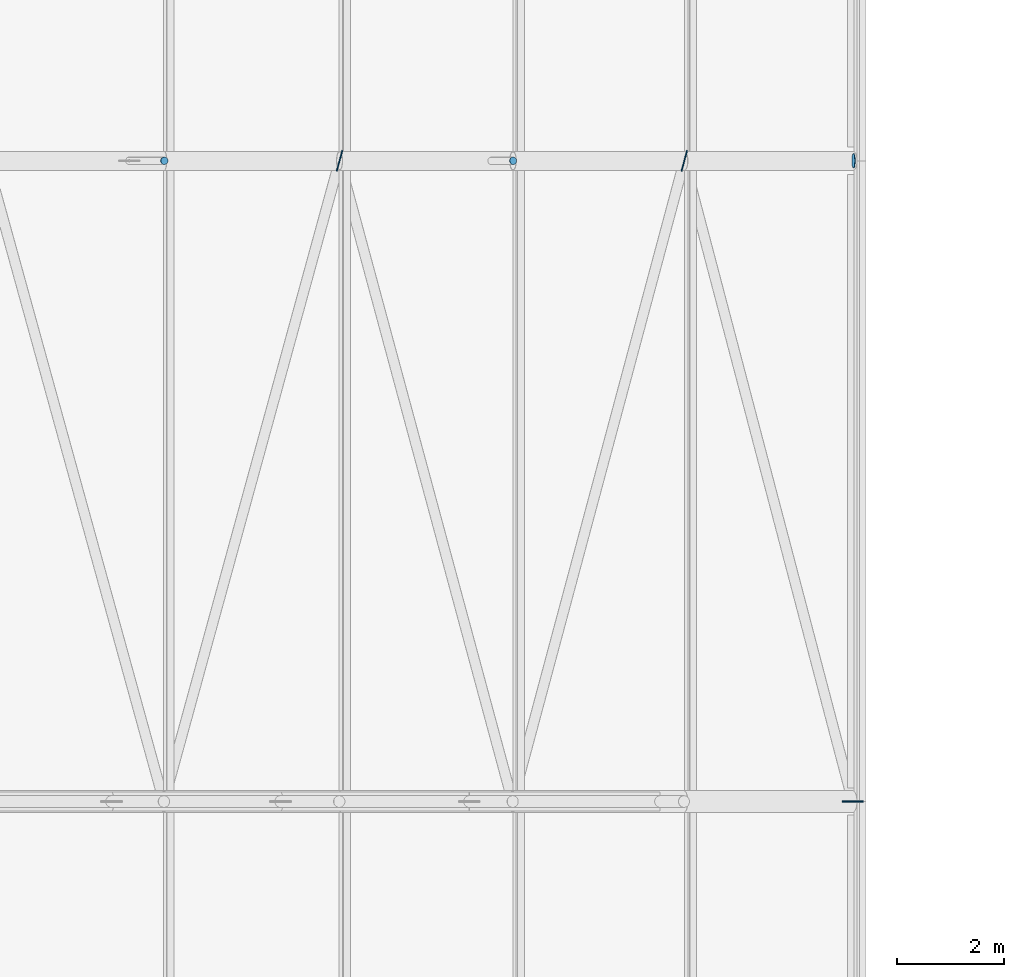
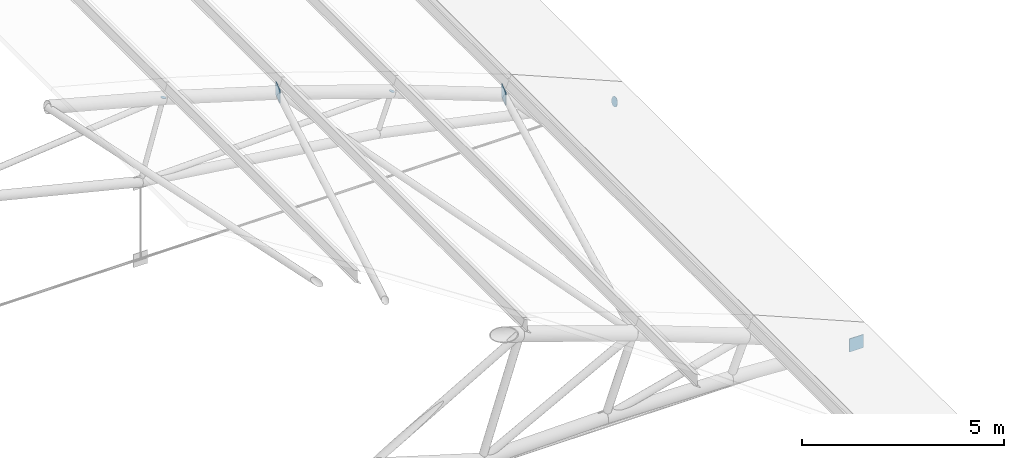
# One storey, part 300 of 321: 6 discrete accessories.
"""IFC4 building model written with IfcOpenShell, lengths in metres."""

from ifc_helpers import new_model, si_unit, direction, frame, origin, origin_2d, place, context, subcontext, project, spatial, rectangle, circle, extrude, material, material_profile, profile_set, type_object, element, save


model = new_model("IFC4")

# Units and contexts
model_context = context("Model", 3, precision=1e-05, world=origin(), true_north=direction((0.0, 1.0)))
body_context = subcontext(model_context, "Body", "Model", "MODEL_VIEW")
ifc_project = project(units=[si_unit("LENGTHUNIT", "METRE"), si_unit("AREAUNIT", "SQUARE_METRE"), si_unit("VOLUMEUNIT", "CUBIC_METRE"), si_unit("PLANEANGLEUNIT", "RADIAN"), si_unit("MASSUNIT", "GRAM", prefix="KILO")], contexts=[model_context])

# Site, building, storey
site_placement = place(None, origin())
site = spatial("IfcSite", under=ifc_project, at=site_placement, CompositionType="ELEMENT")
building_placement = place(site_placement, origin())
building = spatial("IfcBuilding", under=site, at=building_placement, Name="Ravi Spectrum Wholesale Market", CompositionType="ELEMENT")
storey_placement = place(building_placement, frame((0.0, 0.0, 10.800048828125)))
storey = spatial("IfcBuildingStorey", under=building, at=storey_placement, Name="L02", CompositionType="ELEMENT", Elevation=10.800048828125)

# Discrete accessories
ifc_material_1 = material(Name="Steel S355", Category="steel")
ifc_material_profile_1 = material_profile(ifc_material_1, circle(Radius=0.06982421875, at=origin_2d()))
ifc_profile_set_1 = profile_set([ifc_material_profile_1], Name="Steel S355")
discrete_accessory_type_1 = type_object("IfcDiscreteAccessoryType", Name="End plate CHS 139.7x5", PredefinedType="BRACKET", material=ifc_profile_set_1)
for number, where, z_axis, x_axis, name in (
    (1, (97.103759765625, 162.0, 4.661376953125), (0.266586054538, 0.0, 0.963811120254), (0.0, 1.0, 0.0), "End plate"),
    (2, (103.636962890625, 162.0, 2.56494140625), (0.346650140872, 0.0, 0.937994498829), (0.0, 1.0, 0.0), "End plate"),
):
    element("IfcDiscreteAccessory", number, at=place(storey_placement, frame(where, z_axis=z_axis, x_axis=x_axis)), inside=storey, type_object=discrete_accessory_type_1, Name=name, PredefinedType="BRACKET", context=body_context, shape_type="SweptSolid", body=[
        extrude(circle(Radius=0.06982421875, at=origin_2d()), origin(), (0.0, 0.0, 1.0), 0.011962890625),
    ])
ifc_material_2 = material(Name="Steel S355", Category="steel")
ifc_material_profile_2 = material_profile(ifc_material_2, circle(Radius=0.136474609375, at=origin_2d()))
ifc_profile_set_2 = profile_set([ifc_material_profile_2], Name="Steel S355")
discrete_accessory_type_2 = type_object("IfcDiscreteAccessoryType", Name="End plate CHS 273x10", PredefinedType="BRACKET", material=ifc_profile_set_2)
discrete_accessory_placement = place(storey_placement, frame((110.01025390625, 162.0, 0.023193359375), z_axis=(0.978980419738, 0.0, -0.203954254112), x_axis=(0.0, 1.0, 0.0)))
element("IfcDiscreteAccessory", 3, at=discrete_accessory_placement, inside=storey, type_object=discrete_accessory_type_2, Name="End plate", PredefinedType="BRACKET", context=body_context, shape_type="SweptSolid", body=[
    extrude(circle(Radius=0.136474609375, at=origin_2d()), origin(), (0.0, 0.0, 1.0), 0.011962890625),
])
ifc_material_3 = material(Name="Steel S355", Category="steel")
ifc_material_profile_3 = material_profile(ifc_material_3, rectangle(XDim=0.39990234375, YDim=0.02001953125, at=origin_2d()))
ifc_profile_set_3 = profile_set([ifc_material_profile_3], Name="Steel S355")
discrete_accessory_type_3 = type_object("IfcDiscreteAccessoryType", Name="Gusset plate 400x400x20", PredefinedType="BRACKET", material=ifc_profile_set_3)
for number, where, z_axis, x_axis, name in (
    (4, (100.388427734375, 162.0, 3.469482421875), (0.0, 0.0, 1.0), (0.264532113416, 0.964376877041, 0.0), "Gusset plate"),
    (5, (106.845458984375, 162.0, 1.149169921875), (0.0, 0.0, 1.0), (0.258948940898, 0.965891011454, 0.0), "Gusset plate"),
    (6, (110.0, 150.0, -0.199951171875), (0.0, 0.0, 1.0), (1.0, 0.0, 0.0), "Gusset plate"),
):
    element("IfcDiscreteAccessory", number, at=place(storey_placement, frame(where, z_axis=z_axis, x_axis=x_axis)), inside=storey, type_object=discrete_accessory_type_3, Name=name, PredefinedType="BRACKET", context=body_context, shape_type="SweptSolid", body=[
        extrude(rectangle(XDim=0.39990234375, YDim=0.02001953125, at=origin_2d()), origin(), (0.0, 0.0, 1.0), 0.39990234375),
    ])

save(model, "model.ifc")
